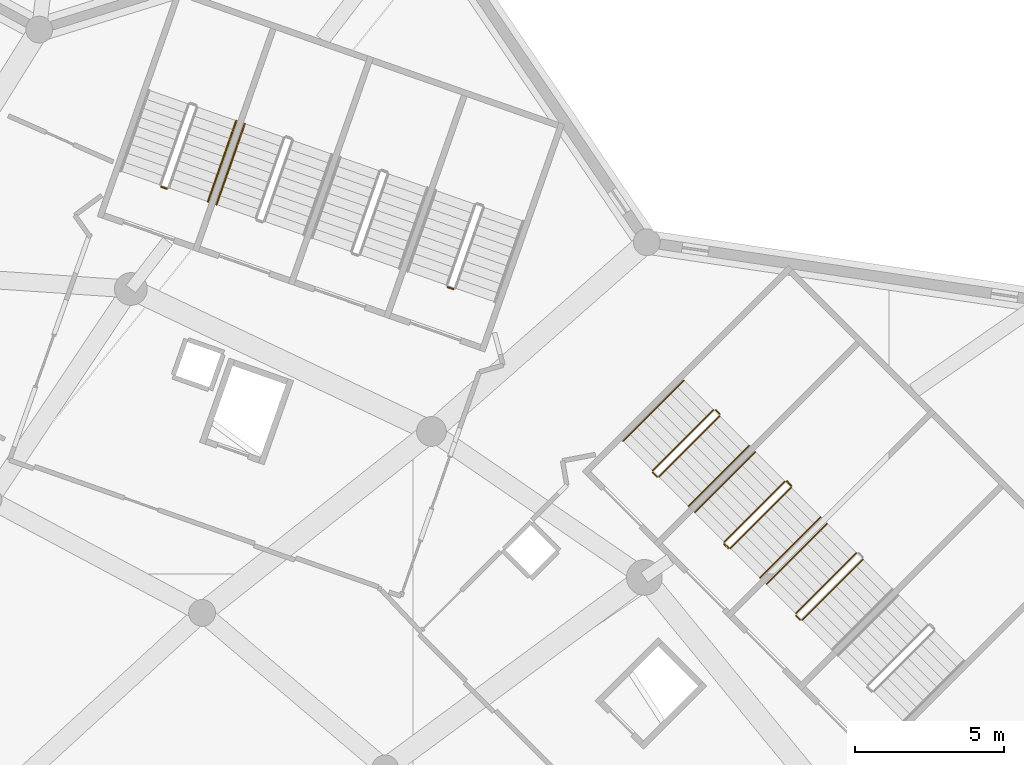
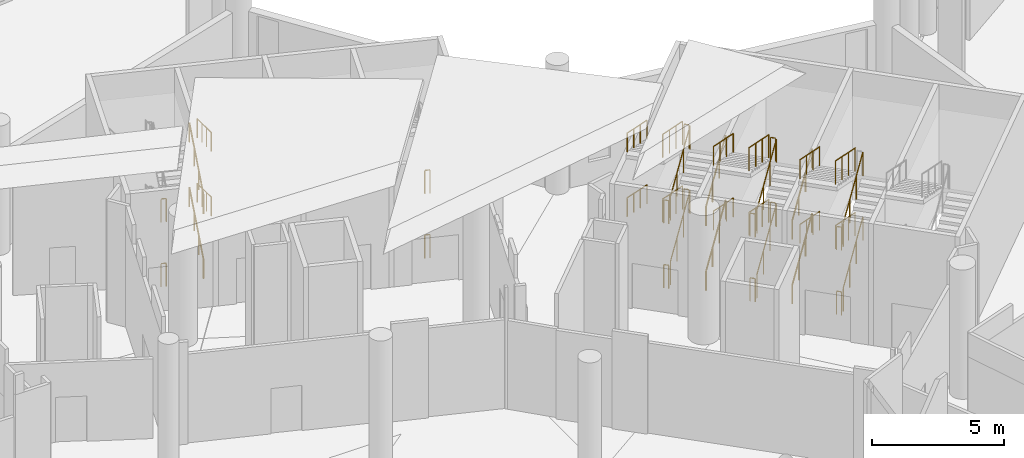
# One storey, part 247 of 249: 40 railings.
"""IFC4 building model written with IfcOpenShell, lengths in metres."""

from ifc_helpers import new_model, si_unit, direction, frame, origin, origin_2d, place, context, subcontext, project, spatial, circle, extrude, material, type_object, element, save


model = new_model("IFC4")

# Units and contexts
model_context = context("Model", 3, precision=1e-05, world=origin(), true_north=direction((0.0, 1.0)))
body_context = subcontext(model_context, "Body", "Model", "MODEL_VIEW")
ifc_project = project(units=[si_unit("LENGTHUNIT", "METRE"), si_unit("AREAUNIT", "SQUARE_METRE"), si_unit("VOLUMEUNIT", "CUBIC_METRE"), si_unit("PLANEANGLEUNIT", "RADIAN"), si_unit("MASSUNIT", "GRAM", prefix="KILO")], contexts=[model_context])

# Site, building, storey
site_placement = place(None, origin())
site = spatial("IfcSite", under=ifc_project, at=site_placement, CompositionType="ELEMENT")
building_placement = place(site_placement, origin())
building = spatial("IfcBuilding", under=site, at=building_placement, Name="Meseta Stadium", CompositionType="ELEMENT")
storey_placement = place(building_placement, frame((0.0, 0.0, 12.0)))
storey = spatial("IfcBuildingStorey", under=building, at=storey_placement, Name="L02", CompositionType="ELEMENT", Elevation=12.0)

# Railings
ifc_material_1 = material(Name="Steel S355", Category="steel")
railing_type_1 = type_object("IfcRailingType", Name="Stair guard 1100", PredefinedType="GUARDRAIL", material=ifc_material_1)
railing_1_placement = place(storey_placement, frame((77.077392578125, 78.4609375, 0.14990234375)))
element("IfcRailing", 1, at=railing_1_placement, inside=storey, type_object=railing_type_1, Name="ST26 L02 guard 1", PredefinedType="GUARDRAIL", context=body_context, shape_type="SweptSolid", body=[
    extrude(circle(Radius=0.02392578125, at=origin_2d()), frame((0.0, 0.0, 1.076171875), z_axis=(0.640211215754, 0.640287970486, 0.424453665402), x_axis=(-0.707149164786, 0.707064395047, 0.0)), (0.0, 0.0, 1.0), 3.180908203125),
    extrude(circle(Radius=0.02099609375, at=origin_2d()), origin(), (0.0, 0.0, 1.0), 1.052001953125),
    extrude(circle(Radius=0.02099609375, at=origin_2d()), frame((0.6787109375, 0.678955078125, 0.449951171875)), (0.0, 0.0, 1.0), 1.052001953125),
    extrude(circle(Radius=0.02099609375, at=origin_2d()), frame((1.357666015625, 1.357666015625, 0.900146484375)), (0.0, 0.0, 1.0), 1.052001953125),
    extrude(circle(Radius=0.02099609375, at=origin_2d()), frame((2.036376953125, 2.03662109375, 1.35009765625)), (0.0, 0.0, 1.0), 1.052001953125),
])
railing_2_placement = place(storey_placement, frame((78.901611328125, 80.709716796875, 1.64990234375)))
element("IfcRailing", 2, at=railing_2_placement, inside=storey, type_object=railing_type_1, Name="ST26 L02 guard 3", PredefinedType="GUARDRAIL", context=body_context, shape_type="SweptSolid", body=[
    extrude(circle(Radius=0.02392578125, at=origin_2d()), frame((0.0, 0.0, 1.076171875), z_axis=(-0.640211215754, -0.640287970486, 0.424453665402), x_axis=(0.707149164786, -0.707064395047, 0.0)), (0.0, 0.0, 1.0), 3.180908203125),
    extrude(circle(Radius=0.02099609375, at=origin_2d()), origin(), (0.0, 0.0, 1.0), 1.052001953125),
    extrude(circle(Radius=0.02099609375, at=origin_2d()), frame((-0.6787109375, -0.678955078125, 0.449951171875)), (0.0, 0.0, 1.0), 1.052001953125),
    extrude(circle(Radius=0.02099609375, at=origin_2d()), frame((-1.357666015625, -1.357666015625, 0.900146484375)), (0.0, 0.0, 1.0), 1.052001953125),
    extrude(circle(Radius=0.02099609375, at=origin_2d()), frame((-2.036376953125, -2.03662109375, 1.35009765625)), (0.0, 0.0, 1.0), 1.052001953125),
])
railing_3_placement = place(storey_placement, frame((77.006591796875, 78.4609375, 3.0)))
element("IfcRailing", 3, at=railing_3_placement, inside=storey, type_object=railing_type_1, Name="ST26 L02 guard 4", PredefinedType="GUARDRAIL", context=body_context, shape_type="SweptSolid", body=[
    extrude(circle(Radius=0.02392578125, at=origin_2d()), frame((0.0, 0.0, 1.076171875), z_axis=(-0.706496417452, 0.707716618519, 0.0), x_axis=(-0.707716618519, -0.706496417452, 0.0)), (0.0, 0.0, 1.0), 0.2001953125),
    extrude(circle(Radius=0.02099609375, at=origin_2d()), origin(), (0.0, 0.0, 1.0), 1.052001953125),
    extrude(circle(Radius=0.02099609375, at=origin_2d()), frame((-0.141357421875, 0.1416015625, 0.0)), (0.0, 0.0, 1.0), 1.052001953125),
])
railing_4_placement = place(storey_placement, frame((77.077392578125, 78.4609375, 3.14990234375)))
element("IfcRailing", 4, at=railing_4_placement, inside=storey, type_object=railing_type_1, Name="ST26 L02 guard 5", PredefinedType="GUARDRAIL", context=body_context, shape_type="SweptSolid", body=[
    extrude(circle(Radius=0.02392578125, at=origin_2d()), frame((0.0, 0.0, 1.076171875), z_axis=(0.640211215754, 0.640287970486, 0.424453665402), x_axis=(-0.707149164786, 0.707064395047, 0.0)), (0.0, 0.0, 1.0), 3.180908203125),
    extrude(circle(Radius=0.02099609375, at=origin_2d()), origin(), (0.0, 0.0, 1.0), 1.052001953125),
    extrude(circle(Radius=0.02099609375, at=origin_2d()), frame((0.6787109375, 0.678955078125, 0.449951171875)), (0.0, 0.0, 1.0), 1.052001953125),
    extrude(circle(Radius=0.02099609375, at=origin_2d()), frame((1.357666015625, 1.357666015625, 0.900146484375)), (0.0, 0.0, 1.0), 1.052001953125),
    extrude(circle(Radius=0.02099609375, at=origin_2d()), frame((2.036376953125, 2.03662109375, 1.35009765625)), (0.0, 0.0, 1.0), 1.052001953125),
])
railing_5_placement = place(storey_placement, frame((78.901611328125, 80.709716796875, 4.64990234375)))
element("IfcRailing", 5, at=railing_5_placement, inside=storey, type_object=railing_type_1, Name="ST26 L02 guard 7", PredefinedType="GUARDRAIL", context=body_context, shape_type="SweptSolid", body=[
    extrude(circle(Radius=0.02392578125, at=origin_2d()), frame((0.0, 0.0, 1.076171875), z_axis=(-0.640211215754, -0.640287970486, 0.424453665402), x_axis=(0.707149164786, -0.707064395047, 0.0)), (0.0, 0.0, 1.0), 3.180908203125),
    extrude(circle(Radius=0.02099609375, at=origin_2d()), origin(), (0.0, 0.0, 1.0), 1.052001953125),
    extrude(circle(Radius=0.02099609375, at=origin_2d()), frame((-0.6787109375, -0.678955078125, 0.449951171875)), (0.0, 0.0, 1.0), 1.052001953125),
    extrude(circle(Radius=0.02099609375, at=origin_2d()), frame((-1.357666015625, -1.357666015625, 0.900146484375)), (0.0, 0.0, 1.0), 1.052001953125),
    extrude(circle(Radius=0.02099609375, at=origin_2d()), frame((-2.036376953125, -2.03662109375, 1.35009765625)), (0.0, 0.0, 1.0), 1.052001953125),
])
railing_6_placement = place(storey_placement, frame((77.006591796875, 78.4609375, 0.0)))
element("IfcRailing", 6, at=railing_6_placement, inside=storey, type_object=railing_type_1, Name="ST26 L02 guard 8", PredefinedType="GUARDRAIL", context=body_context, shape_type="SweptSolid", body=[
    extrude(circle(Radius=0.02392578125, at=origin_2d()), frame((0.0, 0.0, 1.076171875), z_axis=(-0.706496417452, 0.707716618519, 0.0), x_axis=(-0.707716618519, -0.706496417452, 0.0)), (0.0, 0.0, 1.0), 0.2001953125),
    extrude(circle(Radius=0.02099609375, at=origin_2d()), origin(), (0.0, 0.0, 1.0), 1.052001953125),
    extrude(circle(Radius=0.02099609375, at=origin_2d()), frame((-0.141357421875, 0.1416015625, 0.0)), (0.0, 0.0, 1.0), 1.052001953125),
])
railing_7_placement = place(storey_placement, frame((74.673095703125, 80.865234375, 0.14990234375)))
element("IfcRailing", 7, at=railing_7_placement, inside=storey, type_object=railing_type_1, Name="ST27 L02 guard 1", PredefinedType="GUARDRAIL", context=body_context, shape_type="SweptSolid", body=[
    extrude(circle(Radius=0.02392578125, at=origin_2d()), frame((0.0, 0.0, 1.076171875), z_axis=(0.640287970486, 0.640211215754, 0.424453665402), x_axis=(-0.707064395047, 0.707149164786, 0.0)), (0.0, 0.0, 1.0), 3.180908203125),
    extrude(circle(Radius=0.02099609375, at=origin_2d()), origin(), (0.0, 0.0, 1.0), 1.052001953125),
    extrude(circle(Radius=0.02099609375, at=origin_2d()), frame((0.678955078125, 0.6787109375, 0.449951171875)), (0.0, 0.0, 1.0), 1.052001953125),
    extrude(circle(Radius=0.02099609375, at=origin_2d()), frame((1.357666015625, 1.357666015625, 0.900146484375)), (0.0, 0.0, 1.0), 1.052001953125),
    extrude(circle(Radius=0.02099609375, at=origin_2d()), frame((2.03662109375, 2.036376953125, 1.35009765625)), (0.0, 0.0, 1.0), 1.052001953125),
])
railing_8_placement = place(storey_placement, frame((76.709716796875, 82.972412109375, 1.5)))
element("IfcRailing", 8, at=railing_8_placement, inside=storey, type_object=railing_type_1, Name="ST27 L02 guard 2", PredefinedType="GUARDRAIL", context=body_context, shape_type="SweptSolid", body=[
    extrude(circle(Radius=0.02392578125, at=origin_2d()), frame((0.0, 0.0, 1.076171875), z_axis=(-0.707716618519, 0.706496417452, 0.0), x_axis=(-0.706496417452, -0.707716618519, 0.0)), (0.0, 0.0, 1.0), 0.2001953125),
    extrude(circle(Radius=0.02099609375, at=origin_2d()), origin(), (0.0, 0.0, 1.0), 1.052001953125),
    extrude(circle(Radius=0.02099609375, at=origin_2d()), frame((-0.1416015625, 0.141357421875, 0.0)), (0.0, 0.0, 1.0), 1.052001953125),
])
railing_9_placement = place(storey_placement, frame((76.49755859375, 83.11376953125, 1.64990234375)))
element("IfcRailing", 9, at=railing_9_placement, inside=storey, type_object=railing_type_1, Name="ST27 L02 guard 3", PredefinedType="GUARDRAIL", context=body_context, shape_type="SweptSolid", body=[
    extrude(circle(Radius=0.02392578125, at=origin_2d()), frame((0.0, 0.0, 1.076171875), z_axis=(-0.640287970486, -0.640211215754, 0.424453665402), x_axis=(0.707064395047, -0.707149164786, 0.0)), (0.0, 0.0, 1.0), 3.180908203125),
    extrude(circle(Radius=0.02099609375, at=origin_2d()), origin(), (0.0, 0.0, 1.0), 1.052001953125),
    extrude(circle(Radius=0.02099609375, at=origin_2d()), frame((-0.678955078125, -0.6787109375, 0.449951171875)), (0.0, 0.0, 1.0), 1.052001953125),
    extrude(circle(Radius=0.02099609375, at=origin_2d()), frame((-1.357666015625, -1.357666015625, 0.900146484375)), (0.0, 0.0, 1.0), 1.052001953125),
    extrude(circle(Radius=0.02099609375, at=origin_2d()), frame((-2.03662109375, -2.036376953125, 1.35009765625)), (0.0, 0.0, 1.0), 1.052001953125),
])
railing_10_placement = place(storey_placement, frame((74.6025390625, 80.865234375, 3.0)))
element("IfcRailing", 10, at=railing_10_placement, inside=storey, type_object=railing_type_1, Name="ST27 L02 guard 4", PredefinedType="GUARDRAIL", context=body_context, shape_type="SweptSolid", body=[
    extrude(circle(Radius=0.02392578125, at=origin_2d()), frame((0.0, 0.0, 1.076171875), z_axis=(-0.707716618519, 0.706496417452, 0.0), x_axis=(-0.706496417452, -0.707716618519, 0.0)), (0.0, 0.0, 1.0), 0.2001953125),
    extrude(circle(Radius=0.02099609375, at=origin_2d()), origin(), (0.0, 0.0, 1.0), 1.052001953125),
    extrude(circle(Radius=0.02099609375, at=origin_2d()), frame((-0.1416015625, 0.141357421875, 0.0)), (0.0, 0.0, 1.0), 1.052001953125),
])
railing_11_placement = place(storey_placement, frame((74.673095703125, 80.865234375, 3.14990234375)))
element("IfcRailing", 11, at=railing_11_placement, inside=storey, type_object=railing_type_1, Name="ST27 L02 guard 5", PredefinedType="GUARDRAIL", context=body_context, shape_type="SweptSolid", body=[
    extrude(circle(Radius=0.02392578125, at=origin_2d()), frame((0.0, 0.0, 1.076171875), z_axis=(0.640287970486, 0.640211215754, 0.424453665402), x_axis=(-0.707064395047, 0.707149164786, 0.0)), (0.0, 0.0, 1.0), 3.180908203125),
    extrude(circle(Radius=0.02099609375, at=origin_2d()), origin(), (0.0, 0.0, 1.0), 1.052001953125),
    extrude(circle(Radius=0.02099609375, at=origin_2d()), frame((0.678955078125, 0.6787109375, 0.449951171875)), (0.0, 0.0, 1.0), 1.052001953125),
    extrude(circle(Radius=0.02099609375, at=origin_2d()), frame((1.357666015625, 1.357666015625, 0.900146484375)), (0.0, 0.0, 1.0), 1.052001953125),
    extrude(circle(Radius=0.02099609375, at=origin_2d()), frame((2.03662109375, 2.036376953125, 1.35009765625)), (0.0, 0.0, 1.0), 1.052001953125),
])
railing_12_placement = place(storey_placement, frame((76.709716796875, 82.972412109375, 4.5)))
element("IfcRailing", 12, at=railing_12_placement, inside=storey, type_object=railing_type_1, Name="ST27 L02 guard 6", PredefinedType="GUARDRAIL", context=body_context, shape_type="SweptSolid", body=[
    extrude(circle(Radius=0.02392578125, at=origin_2d()), frame((0.0, 0.0, 1.076171875), z_axis=(-0.707716618519, 0.706496417452, 0.0), x_axis=(-0.706496417452, -0.707716618519, 0.0)), (0.0, 0.0, 1.0), 0.2001953125),
    extrude(circle(Radius=0.02099609375, at=origin_2d()), origin(), (0.0, 0.0, 1.0), 1.052001953125),
    extrude(circle(Radius=0.02099609375, at=origin_2d()), frame((-0.1416015625, 0.141357421875, 0.0)), (0.0, 0.0, 1.0), 1.052001953125),
])
railing_13_placement = place(storey_placement, frame((76.49755859375, 83.11376953125, 4.64990234375)))
element("IfcRailing", 13, at=railing_13_placement, inside=storey, type_object=railing_type_1, Name="ST27 L02 guard 7", PredefinedType="GUARDRAIL", context=body_context, shape_type="SweptSolid", body=[
    extrude(circle(Radius=0.02392578125, at=origin_2d()), frame((0.0, 0.0, 1.076171875), z_axis=(-0.640287970486, -0.640211215754, 0.424453665402), x_axis=(0.707064395047, -0.707149164786, 0.0)), (0.0, 0.0, 1.0), 3.180908203125),
    extrude(circle(Radius=0.02099609375, at=origin_2d()), origin(), (0.0, 0.0, 1.0), 1.052001953125),
    extrude(circle(Radius=0.02099609375, at=origin_2d()), frame((-0.678955078125, -0.6787109375, 0.449951171875)), (0.0, 0.0, 1.0), 1.052001953125),
    extrude(circle(Radius=0.02099609375, at=origin_2d()), frame((-1.357666015625, -1.357666015625, 0.900146484375)), (0.0, 0.0, 1.0), 1.052001953125),
    extrude(circle(Radius=0.02099609375, at=origin_2d()), frame((-2.03662109375, -2.036376953125, 1.35009765625)), (0.0, 0.0, 1.0), 1.052001953125),
])
railing_14_placement = place(storey_placement, frame((74.6025390625, 80.865234375, 0.0)))
element("IfcRailing", 14, at=railing_14_placement, inside=storey, type_object=railing_type_1, Name="ST27 L02 guard 8", PredefinedType="GUARDRAIL", context=body_context, shape_type="SweptSolid", body=[
    extrude(circle(Radius=0.02392578125, at=origin_2d()), frame((0.0, 0.0, 1.076171875), z_axis=(-0.707716618519, 0.706496417452, 0.0), x_axis=(-0.706496417452, -0.707716618519, 0.0)), (0.0, 0.0, 1.0), 0.2001953125),
    extrude(circle(Radius=0.02099609375, at=origin_2d()), origin(), (0.0, 0.0, 1.0), 1.052001953125),
    extrude(circle(Radius=0.02099609375, at=origin_2d()), frame((-0.1416015625, 0.141357421875, 0.0)), (0.0, 0.0, 1.0), 1.052001953125),
])
railing_15_placement = place(storey_placement, frame((72.26904296875, 83.269287109375, 0.14990234375)))
element("IfcRailing", 15, at=railing_15_placement, inside=storey, type_object=railing_type_1, Name="ST28 L02 guard 1", PredefinedType="GUARDRAIL", context=body_context, shape_type="SweptSolid", body=[
    extrude(circle(Radius=0.02392578125, at=origin_2d()), frame((0.0, 0.0, 1.076171875), z_axis=(0.640211215754, 0.640287970486, 0.424453665402), x_axis=(-0.707149164786, 0.707064395047, 0.0)), (0.0, 0.0, 1.0), 3.180908203125),
    extrude(circle(Radius=0.02099609375, at=origin_2d()), origin(), (0.0, 0.0, 1.0), 1.052001953125),
    extrude(circle(Radius=0.02099609375, at=origin_2d()), frame((0.6787109375, 0.678955078125, 0.449951171875)), (0.0, 0.0, 1.0), 1.052001953125),
    extrude(circle(Radius=0.02099609375, at=origin_2d()), frame((1.357666015625, 1.357666015625, 0.900146484375)), (0.0, 0.0, 1.0), 1.052001953125),
    extrude(circle(Radius=0.02099609375, at=origin_2d()), frame((2.036376953125, 2.03662109375, 1.35009765625)), (0.0, 0.0, 1.0), 1.052001953125),
])
railing_16_placement = place(storey_placement, frame((74.305419921875, 85.37646484375, 1.5)))
element("IfcRailing", 16, at=railing_16_placement, inside=storey, type_object=railing_type_1, Name="ST28 L02 guard 2", PredefinedType="GUARDRAIL", context=body_context, shape_type="SweptSolid", body=[
    extrude(circle(Radius=0.02392578125, at=origin_2d()), frame((0.0, 0.0, 1.076171875), z_axis=(-0.706496417452, 0.707716618519, 0.0), x_axis=(-0.707716618519, -0.706496417452, 0.0)), (0.0, 0.0, 1.0), 0.2001953125),
    extrude(circle(Radius=0.02099609375, at=origin_2d()), origin(), (0.0, 0.0, 1.0), 1.052001953125),
    extrude(circle(Radius=0.02099609375, at=origin_2d()), frame((-0.141357421875, 0.1416015625, 0.0)), (0.0, 0.0, 1.0), 1.052001953125),
])
railing_17_placement = place(storey_placement, frame((74.09326171875, 85.51806640625, 1.64990234375)))
element("IfcRailing", 17, at=railing_17_placement, inside=storey, type_object=railing_type_1, Name="ST28 L02 guard 3", PredefinedType="GUARDRAIL", context=body_context, shape_type="SweptSolid", body=[
    extrude(circle(Radius=0.02392578125, at=origin_2d()), frame((0.0, 0.0, 1.076171875), z_axis=(-0.640211215754, -0.640287970486, 0.424453665402), x_axis=(0.707149164786, -0.707064395047, 0.0)), (0.0, 0.0, 1.0), 3.180908203125),
    extrude(circle(Radius=0.02099609375, at=origin_2d()), origin(), (0.0, 0.0, 1.0), 1.052001953125),
    extrude(circle(Radius=0.02099609375, at=origin_2d()), frame((-0.6787109375, -0.678955078125, 0.449951171875)), (0.0, 0.0, 1.0), 1.052001953125),
    extrude(circle(Radius=0.02099609375, at=origin_2d()), frame((-1.357666015625, -1.357666015625, 0.900146484375)), (0.0, 0.0, 1.0), 1.052001953125),
    extrude(circle(Radius=0.02099609375, at=origin_2d()), frame((-2.036376953125, -2.03662109375, 1.35009765625)), (0.0, 0.0, 1.0), 1.052001953125),
])
railing_18_placement = place(storey_placement, frame((72.1982421875, 83.269287109375, 3.0)))
element("IfcRailing", 18, at=railing_18_placement, inside=storey, type_object=railing_type_1, Name="ST28 L02 guard 4", PredefinedType="GUARDRAIL", context=body_context, shape_type="SweptSolid", body=[
    extrude(circle(Radius=0.02392578125, at=origin_2d()), frame((0.0, 0.0, 1.076171875), z_axis=(-0.706496417452, 0.707716618519, 0.0), x_axis=(-0.707716618519, -0.706496417452, 0.0)), (0.0, 0.0, 1.0), 0.2001953125),
    extrude(circle(Radius=0.02099609375, at=origin_2d()), origin(), (0.0, 0.0, 1.0), 1.052001953125),
    extrude(circle(Radius=0.02099609375, at=origin_2d()), frame((-0.141357421875, 0.1416015625, 0.0)), (0.0, 0.0, 1.0), 1.052001953125),
])
railing_19_placement = place(storey_placement, frame((72.26904296875, 83.269287109375, 3.14990234375)))
element("IfcRailing", 19, at=railing_19_placement, inside=storey, type_object=railing_type_1, Name="ST28 L02 guard 5", PredefinedType="GUARDRAIL", context=body_context, shape_type="SweptSolid", body=[
    extrude(circle(Radius=0.02392578125, at=origin_2d()), frame((0.0, 0.0, 1.076171875), z_axis=(0.640211215754, 0.640287970486, 0.424453665402), x_axis=(-0.707149164786, 0.707064395047, 0.0)), (0.0, 0.0, 1.0), 3.180908203125),
    extrude(circle(Radius=0.02099609375, at=origin_2d()), origin(), (0.0, 0.0, 1.0), 1.052001953125),
    extrude(circle(Radius=0.02099609375, at=origin_2d()), frame((0.6787109375, 0.678955078125, 0.449951171875)), (0.0, 0.0, 1.0), 1.052001953125),
    extrude(circle(Radius=0.02099609375, at=origin_2d()), frame((1.357666015625, 1.357666015625, 0.900146484375)), (0.0, 0.0, 1.0), 1.052001953125),
    extrude(circle(Radius=0.02099609375, at=origin_2d()), frame((2.036376953125, 2.03662109375, 1.35009765625)), (0.0, 0.0, 1.0), 1.052001953125),
])
railing_20_placement = place(storey_placement, frame((74.305419921875, 85.37646484375, 4.5)))
element("IfcRailing", 20, at=railing_20_placement, inside=storey, type_object=railing_type_1, Name="ST28 L02 guard 6", PredefinedType="GUARDRAIL", context=body_context, shape_type="SweptSolid", body=[
    extrude(circle(Radius=0.02392578125, at=origin_2d()), frame((0.0, 0.0, 1.076171875), z_axis=(-0.706496417452, 0.707716618519, 0.0), x_axis=(-0.707716618519, -0.706496417452, 0.0)), (0.0, 0.0, 1.0), 0.2001953125),
    extrude(circle(Radius=0.02099609375, at=origin_2d()), origin(), (0.0, 0.0, 1.0), 1.052001953125),
    extrude(circle(Radius=0.02099609375, at=origin_2d()), frame((-0.141357421875, 0.1416015625, 0.0)), (0.0, 0.0, 1.0), 1.052001953125),
])
railing_21_placement = place(storey_placement, frame((74.09326171875, 85.51806640625, 4.64990234375)))
element("IfcRailing", 21, at=railing_21_placement, inside=storey, type_object=railing_type_1, Name="ST28 L02 guard 7", PredefinedType="GUARDRAIL", context=body_context, shape_type="SweptSolid", body=[
    extrude(circle(Radius=0.02392578125, at=origin_2d()), frame((0.0, 0.0, 1.076171875), z_axis=(-0.640211215754, -0.640287970486, 0.424453665402), x_axis=(0.707149164786, -0.707064395047, 0.0)), (0.0, 0.0, 1.0), 3.180908203125),
    extrude(circle(Radius=0.02099609375, at=origin_2d()), origin(), (0.0, 0.0, 1.0), 1.052001953125),
    extrude(circle(Radius=0.02099609375, at=origin_2d()), frame((-0.6787109375, -0.678955078125, 0.449951171875)), (0.0, 0.0, 1.0), 1.052001953125),
    extrude(circle(Radius=0.02099609375, at=origin_2d()), frame((-1.357666015625, -1.357666015625, 0.900146484375)), (0.0, 0.0, 1.0), 1.052001953125),
    extrude(circle(Radius=0.02099609375, at=origin_2d()), frame((-2.036376953125, -2.03662109375, 1.35009765625)), (0.0, 0.0, 1.0), 1.052001953125),
])
railing_22_placement = place(storey_placement, frame((72.1982421875, 83.269287109375, 0.0)))
element("IfcRailing", 22, at=railing_22_placement, inside=storey, type_object=railing_type_1, Name="ST28 L02 guard 8", PredefinedType="GUARDRAIL", context=body_context, shape_type="SweptSolid", body=[
    extrude(circle(Radius=0.02392578125, at=origin_2d()), frame((0.0, 0.0, 1.076171875), z_axis=(-0.706496417452, 0.707716618519, 0.0), x_axis=(-0.707716618519, -0.706496417452, 0.0)), (0.0, 0.0, 1.0), 0.2001953125),
    extrude(circle(Radius=0.02099609375, at=origin_2d()), origin(), (0.0, 0.0, 1.0), 1.052001953125),
    extrude(circle(Radius=0.02099609375, at=origin_2d()), frame((-0.141357421875, 0.1416015625, 0.0)), (0.0, 0.0, 1.0), 1.052001953125),
])
for number, where, name in (
    (23, (65.35791015625, 89.577392578125, 3.0), "ST29 L02 guard 4"),
    (24, (65.35791015625, 89.577392578125, 0.0), "ST29 L02 guard 8"),
    (25, (55.730224609375, 92.9462890625, 3.0), "ST32 L02 guard 4"),
    (26, (55.730224609375, 92.9462890625, 0.0), "ST32 L02 guard 8"),
):
    element("IfcRailing", number, at=place(storey_placement, frame(where)), inside=storey, type_object=railing_type_1, Name=name, PredefinedType="GUARDRAIL", context=body_context, shape_type="SweptSolid", body=[
        extrude(circle(Radius=0.02392578125, at=origin_2d()), frame((0.0, 0.0, 1.076171875), z_axis=(-0.943686935281, 0.330839792317, 0.0), x_axis=(-0.330839792317, -0.943686935281, 0.0)), (0.0, 0.0, 1.0), 0.199951171875),
        extrude(circle(Radius=0.02099609375, at=origin_2d()), origin(), (0.0, 0.0, 1.0), 1.052001953125),
        extrude(circle(Radius=0.02099609375, at=origin_2d()), frame((-0.188720703125, 0.066162109375, 0.0)), (0.0, 0.0, 1.0), 1.052001953125),
    ])
ifc_material_2 = material(Name="Steel S355", Category="steel")
railing_type_2 = type_object("IfcRailingType", Name="Stair handrail 900", PredefinedType="HANDRAIL", material=ifc_material_2)
for number, where, name in (
    (27, (77.91162109375, 81.69970703125, 1.64990234375), "ST26 L02 handrail 2"),
    (28, (77.91162109375, 81.69970703125, 4.64990234375), "ST26 L02 handrail 4"),
):
    element("IfcRailing", number, at=place(storey_placement, frame(where)), inside=storey, type_object=railing_type_2, Name=name, PredefinedType="HANDRAIL", context=body_context, shape_type="SweptSolid", body=[
        extrude(circle(Radius=0.02392578125, at=origin_2d()), frame((0.0, 0.0, 0.8759765625), z_axis=(-0.640211215754, -0.640287970486, 0.424453665402), x_axis=(0.707149164786, -0.707064395047, 0.0)), (0.0, 0.0, 1.0), 3.180908203125),
        extrude(circle(Radius=0.02099609375, at=origin_2d()), origin(), (0.0, 0.0, 1.0), 0.851806640625),
        extrude(circle(Radius=0.02099609375, at=origin_2d()), frame((-0.6787109375, -0.678955078125, 0.449951171875)), (0.0, 0.0, 1.0), 0.851806640625),
        extrude(circle(Radius=0.02099609375, at=origin_2d()), frame((-1.357666015625, -1.357666015625, 0.900146484375)), (0.0, 0.0, 1.0), 0.851806640625),
        extrude(circle(Radius=0.02099609375, at=origin_2d()), frame((-2.036376953125, -2.03662109375, 1.35009765625)), (0.0, 0.0, 1.0), 0.851806640625),
    ])
railing_23_placement = place(storey_placement, frame((75.6630859375, 79.875244140625, 0.14990234375)))
element("IfcRailing", 29, at=railing_23_placement, inside=storey, type_object=railing_type_2, Name="ST27 L02 handrail 1", PredefinedType="HANDRAIL", context=body_context, shape_type="SweptSolid", body=[
    extrude(circle(Radius=0.02392578125, at=origin_2d()), frame((0.0, 0.0, 0.8759765625), z_axis=(0.640287970486, 0.640211215754, 0.424453665402), x_axis=(-0.707064395047, 0.707149164786, 0.0)), (0.0, 0.0, 1.0), 3.180908203125),
    extrude(circle(Radius=0.02099609375, at=origin_2d()), origin(), (0.0, 0.0, 1.0), 0.851806640625),
    extrude(circle(Radius=0.02099609375, at=origin_2d()), frame((0.678955078125, 0.6787109375, 0.449951171875)), (0.0, 0.0, 1.0), 0.851806640625),
    extrude(circle(Radius=0.02099609375, at=origin_2d()), frame((1.357666015625, 1.357666015625, 0.900146484375)), (0.0, 0.0, 1.0), 0.851806640625),
    extrude(circle(Radius=0.02099609375, at=origin_2d()), frame((2.03662109375, 2.036376953125, 1.35009765625)), (0.0, 0.0, 1.0), 0.851806640625),
])
railing_24_placement = place(storey_placement, frame((75.507568359375, 84.103759765625, 1.64990234375)))
element("IfcRailing", 30, at=railing_24_placement, inside=storey, type_object=railing_type_2, Name="ST27 L02 handrail 2", PredefinedType="HANDRAIL", context=body_context, shape_type="SweptSolid", body=[
    extrude(circle(Radius=0.02392578125, at=origin_2d()), frame((0.0, 0.0, 0.8759765625), z_axis=(-0.640242679452, -0.640242679452, 0.424474525521), x_axis=(0.707106781187, -0.707106781187, 0.0)), (0.0, 0.0, 1.0), 3.1806640625),
    extrude(circle(Radius=0.02099609375, at=origin_2d()), origin(), (0.0, 0.0, 1.0), 0.851806640625),
    extrude(circle(Radius=0.02099609375, at=origin_2d()), frame((-0.6787109375, -0.6787109375, 0.449951171875)), (0.0, 0.0, 1.0), 0.851806640625),
    extrude(circle(Radius=0.02099609375, at=origin_2d()), frame((-1.357666015625, -1.357666015625, 0.900146484375)), (0.0, 0.0, 1.0), 0.851806640625),
    extrude(circle(Radius=0.02099609375, at=origin_2d()), frame((-2.036376953125, -2.036376953125, 1.35009765625)), (0.0, 0.0, 1.0), 0.851806640625),
])
railing_25_placement = place(storey_placement, frame((75.6630859375, 79.875244140625, 3.14990234375)))
element("IfcRailing", 31, at=railing_25_placement, inside=storey, type_object=railing_type_2, Name="ST27 L02 handrail 3", PredefinedType="HANDRAIL", context=body_context, shape_type="SweptSolid", body=[
    extrude(circle(Radius=0.02392578125, at=origin_2d()), frame((0.0, 0.0, 0.8759765625), z_axis=(0.640287970486, 0.640211215754, 0.424453665402), x_axis=(-0.707064395047, 0.707149164786, 0.0)), (0.0, 0.0, 1.0), 3.180908203125),
    extrude(circle(Radius=0.02099609375, at=origin_2d()), origin(), (0.0, 0.0, 1.0), 0.851806640625),
    extrude(circle(Radius=0.02099609375, at=origin_2d()), frame((0.678955078125, 0.6787109375, 0.449951171875)), (0.0, 0.0, 1.0), 0.851806640625),
    extrude(circle(Radius=0.02099609375, at=origin_2d()), frame((1.357666015625, 1.357666015625, 0.900146484375)), (0.0, 0.0, 1.0), 0.851806640625),
    extrude(circle(Radius=0.02099609375, at=origin_2d()), frame((2.03662109375, 2.036376953125, 1.35009765625)), (0.0, 0.0, 1.0), 0.851806640625),
])
railing_26_placement = place(storey_placement, frame((75.507568359375, 84.103759765625, 4.64990234375)))
element("IfcRailing", 32, at=railing_26_placement, inside=storey, type_object=railing_type_2, Name="ST27 L02 handrail 4", PredefinedType="HANDRAIL", context=body_context, shape_type="SweptSolid", body=[
    extrude(circle(Radius=0.02392578125, at=origin_2d()), frame((0.0, 0.0, 0.8759765625), z_axis=(-0.640242679452, -0.640242679452, 0.424474525521), x_axis=(0.707106781187, -0.707106781187, 0.0)), (0.0, 0.0, 1.0), 3.1806640625),
    extrude(circle(Radius=0.02099609375, at=origin_2d()), origin(), (0.0, 0.0, 1.0), 0.851806640625),
    extrude(circle(Radius=0.02099609375, at=origin_2d()), frame((-0.6787109375, -0.6787109375, 0.449951171875)), (0.0, 0.0, 1.0), 0.851806640625),
    extrude(circle(Radius=0.02099609375, at=origin_2d()), frame((-1.357666015625, -1.357666015625, 0.900146484375)), (0.0, 0.0, 1.0), 0.851806640625),
    extrude(circle(Radius=0.02099609375, at=origin_2d()), frame((-2.036376953125, -2.036376953125, 1.35009765625)), (0.0, 0.0, 1.0), 0.851806640625),
])
railing_27_placement = place(storey_placement, frame((73.259033203125, 82.279541015625, 0.14990234375)))
element("IfcRailing", 33, at=railing_27_placement, inside=storey, type_object=railing_type_2, Name="ST28 L02 handrail 1", PredefinedType="HANDRAIL", context=body_context, shape_type="SweptSolid", body=[
    extrude(circle(Radius=0.02392578125, at=origin_2d()), frame((0.0, 0.0, 0.8759765625), z_axis=(0.640242679452, 0.640242679452, 0.424474525521), x_axis=(-0.707106781187, 0.707106781187, 0.0)), (0.0, 0.0, 1.0), 3.1806640625),
    extrude(circle(Radius=0.02099609375, at=origin_2d()), origin(), (0.0, 0.0, 1.0), 0.851806640625),
    extrude(circle(Radius=0.02099609375, at=origin_2d()), frame((0.6787109375, 0.6787109375, 0.449951171875)), (0.0, 0.0, 1.0), 0.851806640625),
    extrude(circle(Radius=0.02099609375, at=origin_2d()), frame((1.357666015625, 1.357666015625, 0.900146484375)), (0.0, 0.0, 1.0), 0.851806640625),
    extrude(circle(Radius=0.02099609375, at=origin_2d()), frame((2.036376953125, 2.036376953125, 1.35009765625)), (0.0, 0.0, 1.0), 0.851806640625),
])
railing_28_placement = place(storey_placement, frame((73.103515625, 86.5078125, 1.64990234375)))
element("IfcRailing", 34, at=railing_28_placement, inside=storey, type_object=railing_type_2, Name="ST28 L02 handrail 2", PredefinedType="HANDRAIL", context=body_context, shape_type="SweptSolid", body=[
    extrude(circle(Radius=0.02392578125, at=origin_2d()), frame((0.0, 0.0, 0.8759765625), z_axis=(-0.640287970486, -0.640211215754, 0.424453665402), x_axis=(0.707064395047, -0.707149164786, 0.0)), (0.0, 0.0, 1.0), 3.180908203125),
    extrude(circle(Radius=0.02099609375, at=origin_2d()), origin(), (0.0, 0.0, 1.0), 0.851806640625),
    extrude(circle(Radius=0.02099609375, at=origin_2d()), frame((-0.678955078125, -0.6787109375, 0.449951171875)), (0.0, 0.0, 1.0), 0.851806640625),
    extrude(circle(Radius=0.02099609375, at=origin_2d()), frame((-1.357666015625, -1.357666015625, 0.900146484375)), (0.0, 0.0, 1.0), 0.851806640625),
    extrude(circle(Radius=0.02099609375, at=origin_2d()), frame((-2.03662109375, -2.036376953125, 1.35009765625)), (0.0, 0.0, 1.0), 0.851806640625),
])
railing_29_placement = place(storey_placement, frame((73.259033203125, 82.279541015625, 3.14990234375)))
element("IfcRailing", 35, at=railing_29_placement, inside=storey, type_object=railing_type_2, Name="ST28 L02 handrail 3", PredefinedType="HANDRAIL", context=body_context, shape_type="SweptSolid", body=[
    extrude(circle(Radius=0.02392578125, at=origin_2d()), frame((0.0, 0.0, 0.8759765625), z_axis=(0.640242679452, 0.640242679452, 0.424474525521), x_axis=(-0.707106781187, 0.707106781187, 0.0)), (0.0, 0.0, 1.0), 3.1806640625),
    extrude(circle(Radius=0.02099609375, at=origin_2d()), origin(), (0.0, 0.0, 1.0), 0.851806640625),
    extrude(circle(Radius=0.02099609375, at=origin_2d()), frame((0.6787109375, 0.6787109375, 0.449951171875)), (0.0, 0.0, 1.0), 0.851806640625),
    extrude(circle(Radius=0.02099609375, at=origin_2d()), frame((1.357666015625, 1.357666015625, 0.900146484375)), (0.0, 0.0, 1.0), 0.851806640625),
    extrude(circle(Radius=0.02099609375, at=origin_2d()), frame((2.036376953125, 2.036376953125, 1.35009765625)), (0.0, 0.0, 1.0), 0.851806640625),
])
railing_30_placement = place(storey_placement, frame((73.103515625, 86.5078125, 4.64990234375)))
element("IfcRailing", 36, at=railing_30_placement, inside=storey, type_object=railing_type_2, Name="ST28 L02 handrail 4", PredefinedType="HANDRAIL", context=body_context, shape_type="SweptSolid", body=[
    extrude(circle(Radius=0.02392578125, at=origin_2d()), frame((0.0, 0.0, 0.8759765625), z_axis=(-0.640287970486, -0.640211215754, 0.424453665402), x_axis=(0.707064395047, -0.707149164786, 0.0)), (0.0, 0.0, 1.0), 3.180908203125),
    extrude(circle(Radius=0.02099609375, at=origin_2d()), origin(), (0.0, 0.0, 1.0), 0.851806640625),
    extrude(circle(Radius=0.02099609375, at=origin_2d()), frame((-0.678955078125, -0.6787109375, 0.449951171875)), (0.0, 0.0, 1.0), 0.851806640625),
    extrude(circle(Radius=0.02099609375, at=origin_2d()), frame((-1.357666015625, -1.357666015625, 0.900146484375)), (0.0, 0.0, 1.0), 0.851806640625),
    extrude(circle(Radius=0.02099609375, at=origin_2d()), frame((-2.03662109375, -2.036376953125, 1.35009765625)), (0.0, 0.0, 1.0), 0.851806640625),
])
for number, where, name in (
    (37, (58.349853515625, 95.1337890625, 1.64990234375), "ST31 L02 handrail 2"),
    (38, (58.349853515625, 95.1337890625, 4.64990234375), "ST31 L02 handrail 4"),
):
    element("IfcRailing", number, at=place(storey_placement, frame(where)), inside=storey, type_object=railing_type_2, Name=name, PredefinedType="HANDRAIL", context=body_context, shape_type="SweptSolid", body=[
        extrude(circle(Radius=0.02392578125, at=origin_2d()), frame((0.0, 0.0, 0.8759765625), z_axis=(-0.299050945451, -0.854628651604, 0.424474262922), x_axis=(0.943882143717, -0.33028245302, 0.0)), (0.0, 0.0, 1.0), 3.1806640625),
        extrude(circle(Radius=0.02099609375, at=origin_2d()), origin(), (0.0, 0.0, 1.0), 0.851806640625),
        extrude(circle(Radius=0.02099609375, at=origin_2d()), frame((-0.317138671875, -0.906005859375, 0.449951171875)), (0.0, 0.0, 1.0), 0.851806640625),
        extrude(circle(Radius=0.02099609375, at=origin_2d()), frame((-0.634033203125, -1.812255859375, 0.900146484375)), (0.0, 0.0, 1.0), 0.851806640625),
        extrude(circle(Radius=0.02099609375, at=origin_2d()), frame((-0.951171875, -2.71826171875, 1.35009765625)), (0.0, 0.0, 1.0), 0.851806640625),
    ])
for number, where, name in (
    (39, (57.115478515625, 92.5146484375, 0.14990234375), "ST32 L02 handrail 1"),
    (40, (57.115478515625, 92.5146484375, 3.14990234375), "ST32 L02 handrail 3"),
):
    element("IfcRailing", number, at=place(storey_placement, frame(where)), inside=storey, type_object=railing_type_2, Name=name, PredefinedType="HANDRAIL", context=body_context, shape_type="SweptSolid", body=[
        extrude(circle(Radius=0.02392578125, at=origin_2d()), frame((0.0, 0.0, 0.8759765625), z_axis=(0.299050945451, 0.854628651604, 0.424474262922), x_axis=(-0.943882143717, 0.33028245302, 0.0)), (0.0, 0.0, 1.0), 3.1806640625),
        extrude(circle(Radius=0.02099609375, at=origin_2d()), origin(), (0.0, 0.0, 1.0), 0.851806640625),
        extrude(circle(Radius=0.02099609375, at=origin_2d()), frame((0.317138671875, 0.906005859375, 0.449951171875)), (0.0, 0.0, 1.0), 0.851806640625),
        extrude(circle(Radius=0.02099609375, at=origin_2d()), frame((0.634033203125, 1.812255859375, 0.900146484375)), (0.0, 0.0, 1.0), 0.851806640625),
        extrude(circle(Radius=0.02099609375, at=origin_2d()), frame((0.951171875, 2.71826171875, 1.35009765625)), (0.0, 0.0, 1.0), 0.851806640625),
    ])

save(model, "model.ifc")
